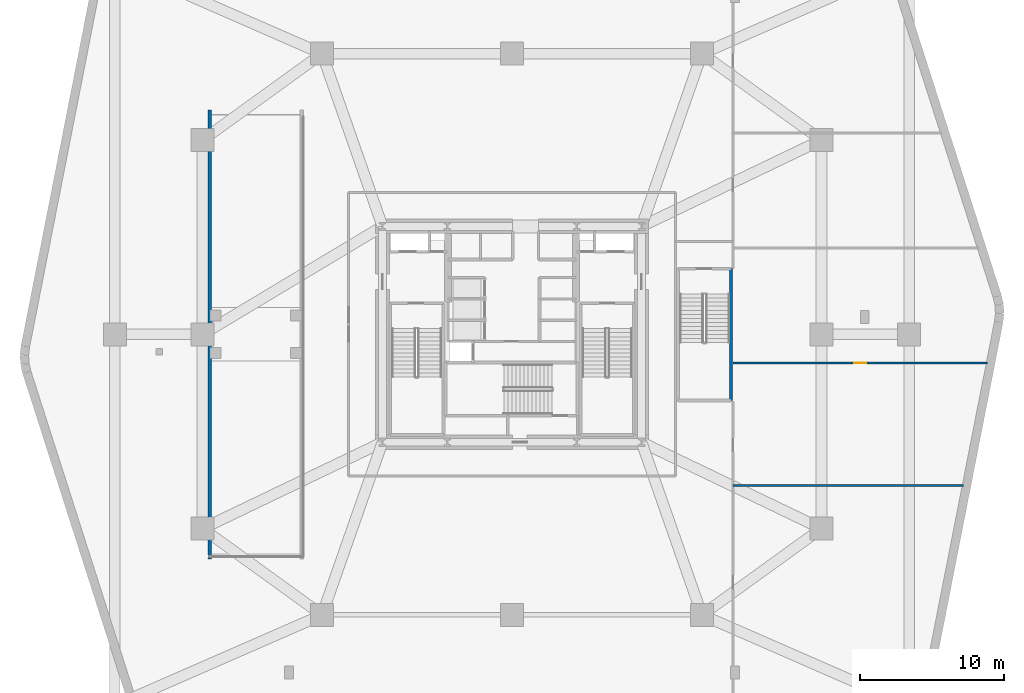
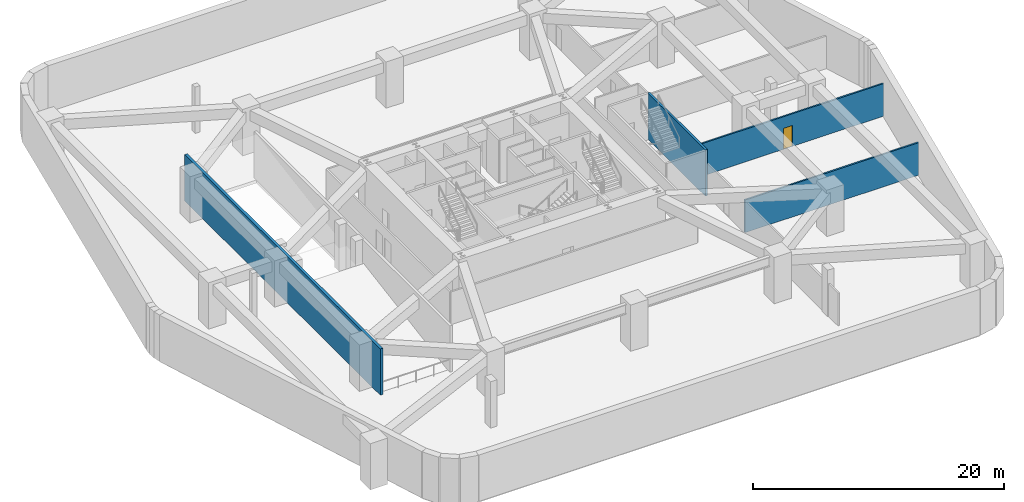
# One storey, part 3 of 9: 4 walls, 1 door, 1 opening.
"""IFC4 building model written with IfcOpenShell, lengths in metres."""

from ifc_helpers import new_model, si_unit, direction, frame, frame_2d, origin, place, context, subcontext, project, spatial, rectangle, extrude, material, layer, layer_set, type_object, element, fill, save


model = new_model("IFC4")

# Units and contexts
model_context = context("Model", 3, precision=1e-05, world=origin(), true_north=direction((0.0, 1.0)))
body_context = subcontext(model_context, "Body", "Model", "MODEL_VIEW")
ifc_project = project(units=[si_unit("LENGTHUNIT", "METRE"), si_unit("AREAUNIT", "SQUARE_METRE"), si_unit("VOLUMEUNIT", "CUBIC_METRE"), si_unit("PLANEANGLEUNIT", "RADIAN"), si_unit("MASSUNIT", "GRAM", prefix="KILO")], contexts=[model_context])

# Site, building, storey
site_placement = place(None, origin())
site = spatial("IfcSite", under=ifc_project, at=site_placement, CompositionType="ELEMENT")
building_placement = place(site_placement, origin())
building = spatial("IfcBuilding", under=site, at=building_placement, Name="Kilnhurst Terrace Hotel", CompositionType="ELEMENT")
storey_placement = place(building_placement, frame((0.0, 0.0, -4.5)))
storey = spatial("IfcBuildingStorey", under=building, at=storey_placement, Name="B1", CompositionType="ELEMENT", Elevation=-4.5)

# Wall
ifc_material_1 = material(Name="Acoustic Double-Gypsum Corridor Partition Assembly")
ifc_layer_1 = layer(ifc_material_1, 0.14990234375, Name="Acoustic Double-Gypsum Corridor Partition Assembly")
ifc_layer_set_1 = layer_set([ifc_layer_1], Name="Acoustic Double-Gypsum Corridor Partition Assembly")
wall_type_1 = type_object("IfcWallType", Name="WL-COR-150", PredefinedType="PARTITIONING", material=ifc_layer_set_1)
wall_1_placement = place(storey_placement, frame((15.35009765625, -10.5, 0.0), z_axis=(0.0, 0.0, 1.0), x_axis=(1.0, 0.0, 0.0)))
element("IfcWall", 1, at=wall_1_placement, inside=storey, type_object=wall_type_1, Name="B1 Interior Wall WL-B1-EDIV-1", PredefinedType="PARTITIONING", context=body_context, shape_type="SweptSolid", body=[
    extrude(rectangle(XDim=16.012939453125, YDim=0.14990234375, at=frame_2d((8.00634765625, 0.0))), origin(), (0.0, 0.0, 1.0), 3.169921875),
])

# Wall, opening, door
wall_2_placement = place(storey_placement, frame((15.35009765625, -2.0, 0.0), z_axis=(0.0, 0.0, 1.0), x_axis=(1.0, 0.0, 0.0)))
wall_2 = element("IfcWall", 2, at=wall_2_placement, inside=storey, type_object=wall_type_1, Name="B1 Interior Wall WL-B1-EDIV-2", PredefinedType="PARTITIONING", context=body_context, shape_type="SweptSolid", body=[
    extrude(rectangle(XDim=17.68212890625, YDim=0.14990234375, at=frame_2d((8.841064453125, 0.0))), origin(), (0.0, 0.0, 1.0), 3.169921875),
])
opening_placement = place(wall_2_placement, frame((8.416015625, 0.0, 0.0)))
opening = element("IfcOpeningElement", 3, at=opening_placement, cuts=wall_2, Name="Opening D-60D", PredefinedType="OPENING", context=body_context, shape_type="SweptSolid", body=[
    extrude(rectangle(XDim=0.85009765625, YDim=2.030029296875, at=frame_2d((0.425048828125, 1.01513671875))), frame((0.0, 0.0849609375, 0.0), z_axis=(0.0, -1.0, 0.0), x_axis=(1.0, 0.0, 0.0)), (0.0, 0.0, 1.0), 0.169921875),
])
ifc_material_2 = material(Name="Painted Hollow Metal Steel ASTM A36 Riser Door", Category="steel")
door_type = type_object("IfcDoorType", Name="DR-FD60-850", OperationType="NOTDEFINED", PredefinedType="DOOR", material=ifc_material_2)
door_placement = place(opening_placement, origin())
door = element("IfcDoor", 4, at=door_placement, inside=storey, type_object=door_type, Name="B1 Air Handling Mechanical Room Door", OperationType="SINGLE_SWING_LEFT", OverallHeight=2.030029296875, OverallWidth=0.85009765625, PredefinedType="DOOR", context=body_context, shape_type="SweptSolid", body=[
    extrude(rectangle(XDim=0.85009765625, YDim=2.030029296875, at=frame_2d((0.425048828125, 1.01513671875))), frame((0.0, 0.02490234375, 0.0), z_axis=(0.0, -1.0, 0.0), x_axis=(1.0, 0.0, 0.0)), (0.0, 0.0, 1.0), 0.050048828125),
])
fill(opening, door)

# Walls
ifc_material_3 = material(Name="Concrete C50/60", Category="concrete")
ifc_layer_2 = layer(ifc_material_3, 0.25, Name="Concrete C50/60")
ifc_layer_set_2 = layer_set([ifc_layer_2], Name="Concrete C50/60")
wall_type_2 = type_object("IfcWallType", Name="WL-RAMP-RC-250", PredefinedType="SHEAR", material=ifc_layer_set_2)
wall_3_placement = place(storey_placement, frame((-21.0, -15.60009765625, 0.0), z_axis=(0.0, 0.0, 1.0), x_axis=(0.0, 1.0, 0.0)))
element("IfcWall", 5, at=wall_3_placement, inside=storey, type_object=wall_type_2, Name="B1 Car Park Ramp Structural Support Wall W", PredefinedType="SHEAR", context=body_context, shape_type="SweptSolid", body=[
    extrude(rectangle(XDim=31.2001953125, YDim=0.25, at=frame_2d((15.60009765625, 0.0))), origin(), (0.0, 0.0, 1.0), 4.5),
])
ifc_layer_3 = layer(ifc_material_3, 0.199951171875, Name="Concrete C50/60")
ifc_layer_set_3 = layer_set([ifc_layer_3], Name="Concrete C50/60")
wall_type_3 = type_object("IfcWallType", Name="WL-STAIR-RC-200", PredefinedType="SHEAR", material=ifc_layer_set_3)
wall_4_placement = place(storey_placement, frame((15.22802734375, -4.60791015625, 0.0), z_axis=(0.0, 0.0, 1.0), x_axis=(0.0, 1.0, 0.0)))
element("IfcWall", 6, at=wall_4_placement, inside=storey, type_object=wall_type_3, Name="B1 Podium Stair ST-4 Structural Shaft Wall WL-B1-ST4-E", PredefinedType="SHEAR", context=body_context, shape_type="SweptSolid", body=[
    extrude(rectangle(XDim=9.166015625, YDim=0.199951171875, at=frame_2d((4.5830078125, 0.0))), origin(), (0.0, 0.0, 1.0), 4.5),
])

save(model, "model.ifc")
